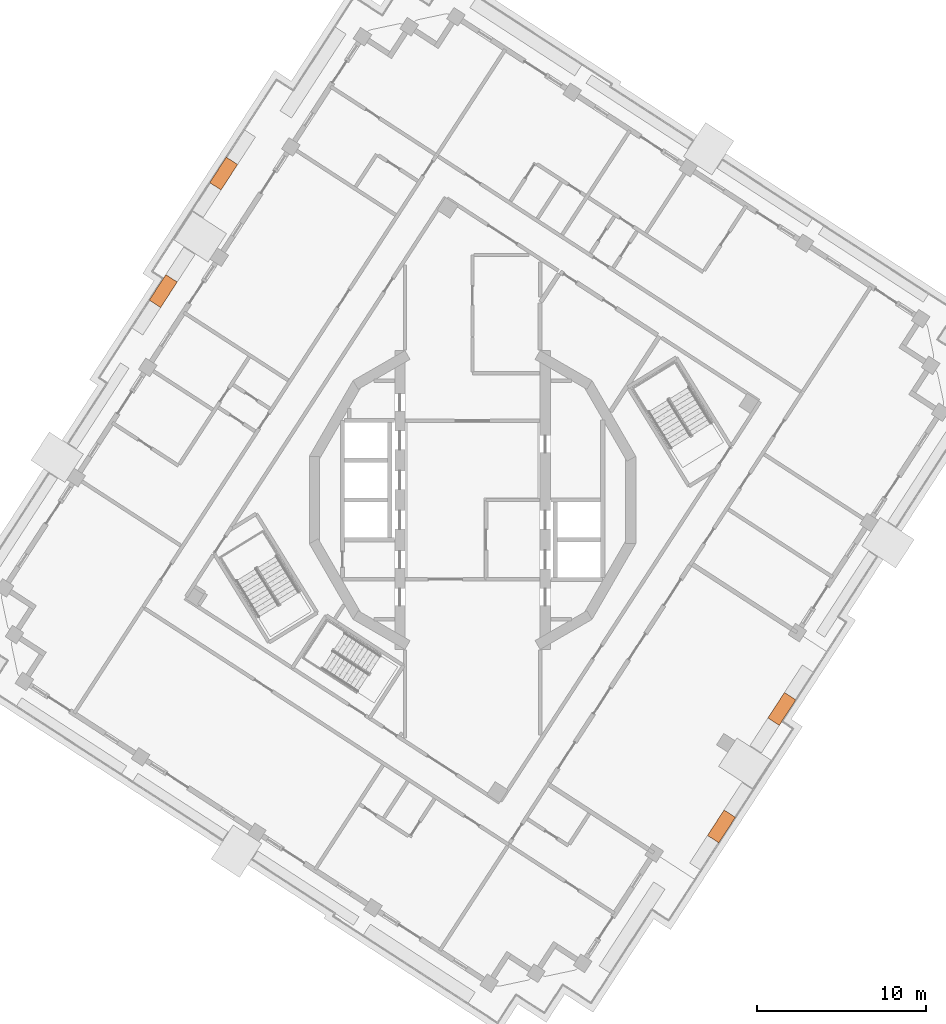
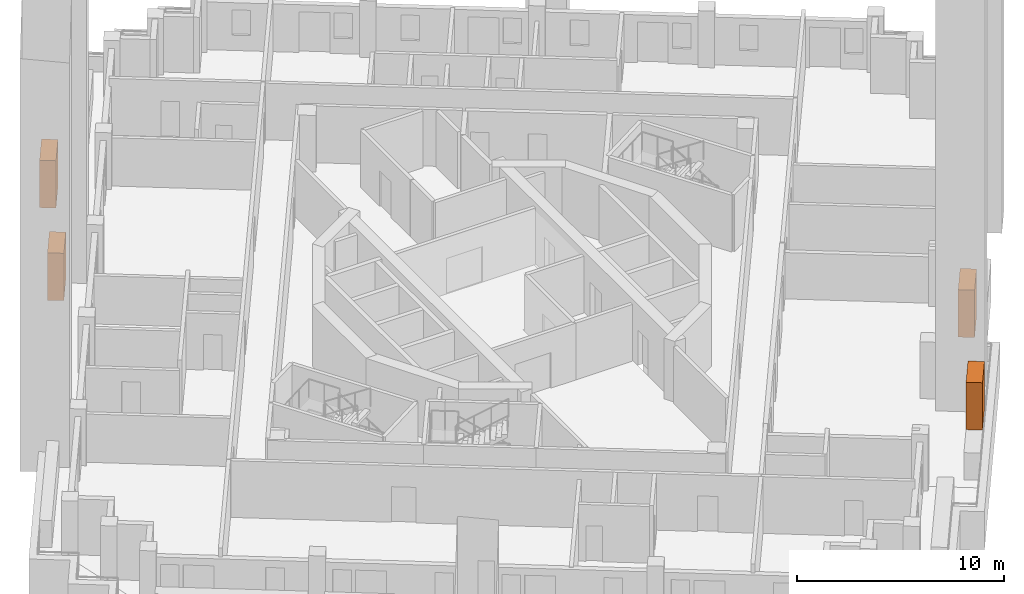
# One storey, part 15 of 15: 4 proxies.
"""IFC4 building model written with IfcOpenShell, lengths in metres."""

from ifc_helpers import new_model, si_unit, direction, frame, origin, origin_2d, place, context, subcontext, project, spatial, rectangle, extrude, element, save


model = new_model("IFC4")

# Units and contexts
model_context = context("Model", 3, precision=1e-05, world=origin(), true_north=direction((0.0, 1.0)))
body_context = subcontext(model_context, "Body", "Model", "MODEL_VIEW")
ifc_project = project(units=[si_unit("LENGTHUNIT", "METRE"), si_unit("AREAUNIT", "SQUARE_METRE"), si_unit("VOLUMEUNIT", "CUBIC_METRE"), si_unit("PLANEANGLEUNIT", "RADIAN"), si_unit("MASSUNIT", "GRAM", prefix="KILO")], contexts=[model_context])

# Site, building, storey
site_placement = place(None, origin())
site = spatial("IfcSite", under=ifc_project, at=site_placement, CompositionType="ELEMENT")
building_placement = place(site_placement, origin())
building = spatial("IfcBuilding", under=site, at=building_placement, Name="Cantera Rosa Tower", CompositionType="ELEMENT")
storey_placement = place(building_placement, frame((0.0, 0.0, 250.5)))
storey = spatial("IfcBuildingStorey", under=building, at=storey_placement, Name="L55", CompositionType="ELEMENT", Elevation=250.5)

# Proxies
for number, where, z_axis, x_axis, name in (
    (1, (-14.732421875, 19.32080078125, 1.60009765625), (0.0, 0.0, 1.0), (-0.544639035015, -0.838670567945, 0.0), "TREE L55-06"),
    (2, (-18.3076171875, 12.365966796875, 1.60009765625), (0.0, 0.0, 1.0), (-0.544639035015, -0.838670567945, 0.0), "TREE L55-07"),
    (3, (14.732421875, -19.32080078125, 1.60009765625), (0.0, 0.0, 1.0), (0.544639035015, 0.838670567945, 0.0), "TREE L55-15"),
    (4, (18.3076171875, -12.365966796875, 1.60009765625), (0.0, 0.0, 1.0), (0.544639035015, 0.838670567945, 0.0), "TREE L55-16"),
):
    element("IfcBuildingElementProxy", number, at=place(storey_placement, frame(where, z_axis=z_axis, x_axis=x_axis)), inside=storey, Name=name, ObjectType="TREE", PredefinedType="USERDEFINED", context=body_context, shape_type="SweptSolid", body=[
        extrude(rectangle(XDim=1.800048828125, YDim=0.800048828125, at=origin_2d()), origin(), (0.0, 0.0, 1.0), 2.800048828125),
    ])

save(model, "model.ifc")
